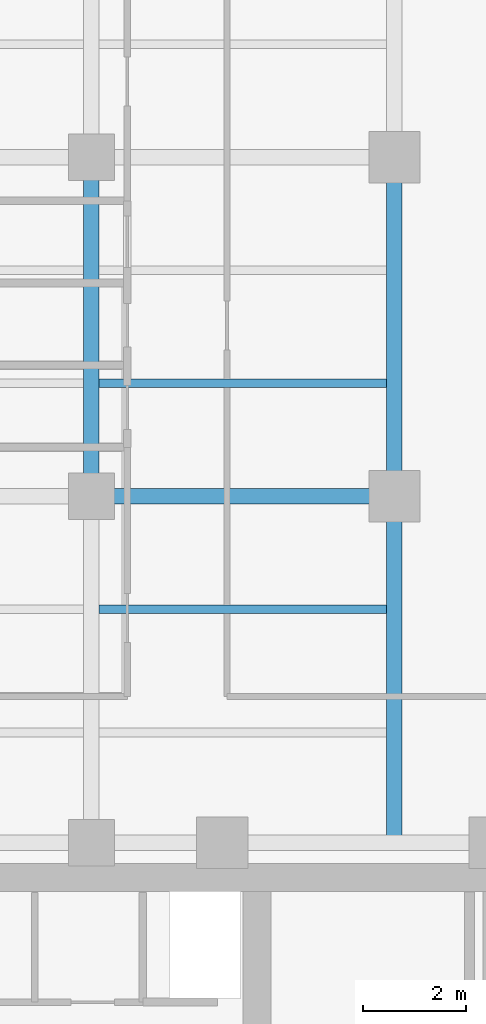
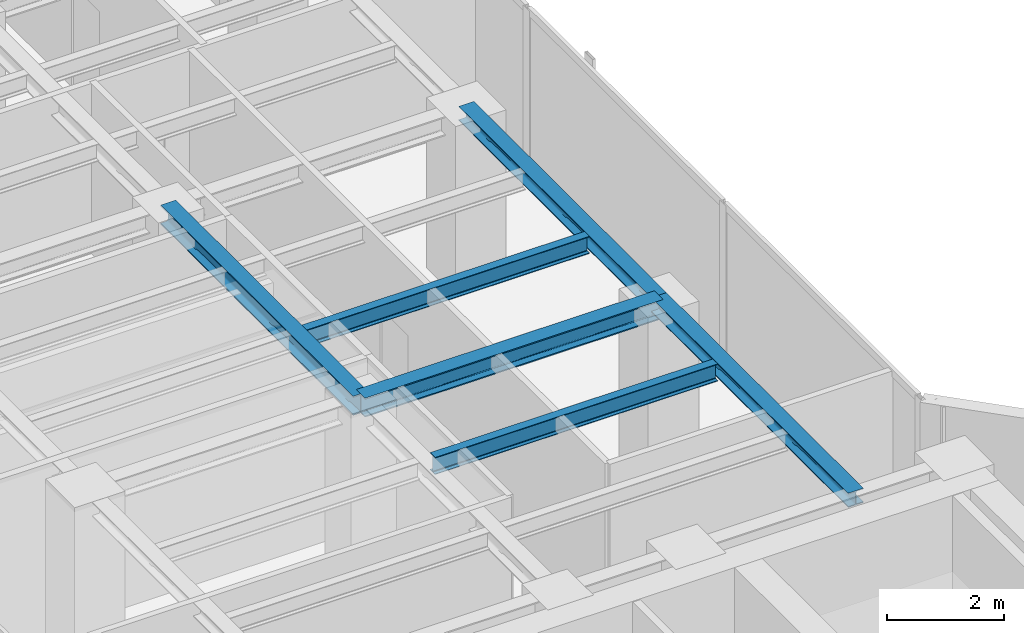
# One storey, part 9 of 25: 6 beams.
"""IFC4 building model written with IfcOpenShell, lengths in metres."""

from ifc_helpers import new_model, si_unit, direction, frame, origin, origin_2d, place, context, subcontext, project, spatial, i_section, extrude, material, material_profile, profile_set, type_object, element, save


model = new_model("IFC4")

# Units and contexts
model_context = context("Model", 3, precision=1e-05, world=origin(), true_north=direction((0.0, 1.0)))
body_context = subcontext(model_context, "Body", "Model", "MODEL_VIEW")
ifc_project = project(units=[si_unit("LENGTHUNIT", "METRE"), si_unit("AREAUNIT", "SQUARE_METRE"), si_unit("VOLUMEUNIT", "CUBIC_METRE"), si_unit("PLANEANGLEUNIT", "RADIAN"), si_unit("MASSUNIT", "GRAM", prefix="KILO")], contexts=[model_context])

# Site, building, storey
site_placement = place(None, origin())
site = spatial("IfcSite", under=ifc_project, at=site_placement, CompositionType="ELEMENT")
building_placement = place(site_placement, origin())
building = spatial("IfcBuilding", under=site, at=building_placement, Name="Kolvaren Waterfront Exchange", CompositionType="ELEMENT")
storey_placement = place(building_placement, frame((0.0, 0.0, 223.5)))
storey = spatial("IfcBuildingStorey", under=building, at=storey_placement, Name="L57", CompositionType="ELEMENT", Elevation=223.5)

# Beams
ifc_material = material(Name="Steel S355", Category="steel")
ifc_material_profile_1 = material_profile(ifc_material, i_section(OverallWidth=0.300048828125, OverallDepth=0.300048828125, WebThickness=0.010986328125, FlangeThickness=0.01904296875, FilletRadius=0.027099609375, at=origin_2d()), Name="HEB300")
ifc_profile_set_1 = profile_set([ifc_material_profile_1], Name="Steel S355")
beam_type_1 = type_object("IfcBeamType", Name="STR-BM-HEB300", PredefinedType="SPANDREL", material=ifc_profile_set_1)
beam_1_placement = place(storey_placement, frame((18.800048828125, 24.449951171875, 3.409912109375), z_axis=(0.0, 1.0, 0.0), x_axis=(-1.0, 0.0, 0.0)))
element("IfcBeam", 1, at=beam_1_placement, inside=storey, type_object=beam_type_1, Name="L57 north-arm edge beam 1", PredefinedType="SPANDREL", context=body_context, shape_type="SweptSolid", body=[
    extrude(i_section(OverallWidth=0.300048828125, OverallDepth=0.300048828125, WebThickness=0.010986328125, FlangeThickness=0.01904296875, FilletRadius=0.027099609375, at=origin_2d()), origin(), (0.0, 0.0, 1.0), 6.75),
])
beam_2_placement = place(storey_placement, frame((18.800048828125, 31.199951171875, 3.409912109375), z_axis=(0.0, 1.0, 0.0), x_axis=(-1.0, 0.0, 0.0)))
element("IfcBeam", 2, at=beam_2_placement, inside=storey, type_object=beam_type_1, Name="L57 north-arm edge beam 2", PredefinedType="SPANDREL", context=body_context, shape_type="SweptSolid", body=[
    extrude(i_section(OverallWidth=0.300048828125, OverallDepth=0.300048828125, WebThickness=0.010986328125, FlangeThickness=0.01904296875, FilletRadius=0.027099609375, at=origin_2d()), origin(), (0.0, 0.0, 1.0), 6.60009765625),
])
ifc_material_profile_2 = material_profile(ifc_material, i_section(OverallWidth=0.300048828125, OverallDepth=0.39990234375, WebThickness=0.013427734375, FlangeThickness=0.02392578125, FilletRadius=0.027099609375, at=origin_2d()), Name="HEB400")
ifc_profile_set_2 = profile_set([ifc_material_profile_2], Name="Steel S355")
beam_type_2 = type_object("IfcBeamType", Name="STR-BM-HEB400", PredefinedType="BEAM", material=ifc_profile_set_2)
beam_3_placement = place(storey_placement, frame((12.89990234375, 31.199951171875, 3.360107421875), z_axis=(1.0, 0.0, 0.0), x_axis=(0.0, 1.0, 0.0)))
element("IfcBeam", 3, at=beam_3_placement, inside=storey, type_object=beam_type_2, Name="L57 north-arm girder 2B", PredefinedType="BEAM", context=body_context, shape_type="SweptSolid", body=[
    extrude(i_section(OverallWidth=0.300048828125, OverallDepth=0.39990234375, WebThickness=0.013427734375, FlangeThickness=0.02392578125, FilletRadius=0.027099609375, at=origin_2d()), origin(), (0.0, 0.0, 1.0), 5.900146484375),
])
beam_4_placement = place(storey_placement, frame((12.89990234375, 31.199951171875, 3.360107421875), z_axis=(0.0, 1.0, 0.0), x_axis=(-1.0, 0.0, 0.0)))
element("IfcBeam", 4, at=beam_4_placement, inside=storey, type_object=beam_type_2, Name="L57 north-arm edge beam 2", PredefinedType="BEAM", context=body_context, shape_type="SweptSolid", body=[
    extrude(i_section(OverallWidth=0.300048828125, OverallDepth=0.39990234375, WebThickness=0.013427734375, FlangeThickness=0.02392578125, FilletRadius=0.027099609375, at=origin_2d()), origin(), (0.0, 0.0, 1.0), 6.60009765625),
])
ifc_material_profile_3 = material_profile(ifc_material, i_section(OverallWidth=0.169921875, OverallDepth=0.360107421875, WebThickness=0.008056640625, FlangeThickness=0.0126953125, FilletRadius=0.01806640625, at=origin_2d()), Name="IPE360")
ifc_profile_set_3 = profile_set([ifc_material_profile_3], Name="Steel S355")
beam_type_3 = type_object("IfcBeamType", Name="STR-BM-IPE360", PredefinedType="JOIST", material=ifc_profile_set_3)
for number, where, z_axis, x_axis, name in (
    (5, (13.052001953125, 29.0, 3.3798828125), (1.0, 0.0, 0.0), (0.0, 1.0, 0.0), "L57 north-arm composite joist 2B"),
    (6, (13.052001953125, 33.39990234375, 3.3798828125), (1.0, 0.0, 0.0), (0.0, 1.0, 0.0), "L57 north-arm composite joist 3B"),
):
    element("IfcBeam", number, at=place(storey_placement, frame(where, z_axis=z_axis, x_axis=x_axis)), inside=storey, type_object=beam_type_3, Name=name, PredefinedType="JOIST", context=body_context, shape_type="SweptSolid", body=[
        extrude(i_section(OverallWidth=0.169921875, OverallDepth=0.360107421875, WebThickness=0.008056640625, FlangeThickness=0.0126953125, FilletRadius=0.01806640625, at=origin_2d()), origin(), (0.0, 0.0, 1.0), 5.595947265625),
    ])

save(model, "model.ifc")
